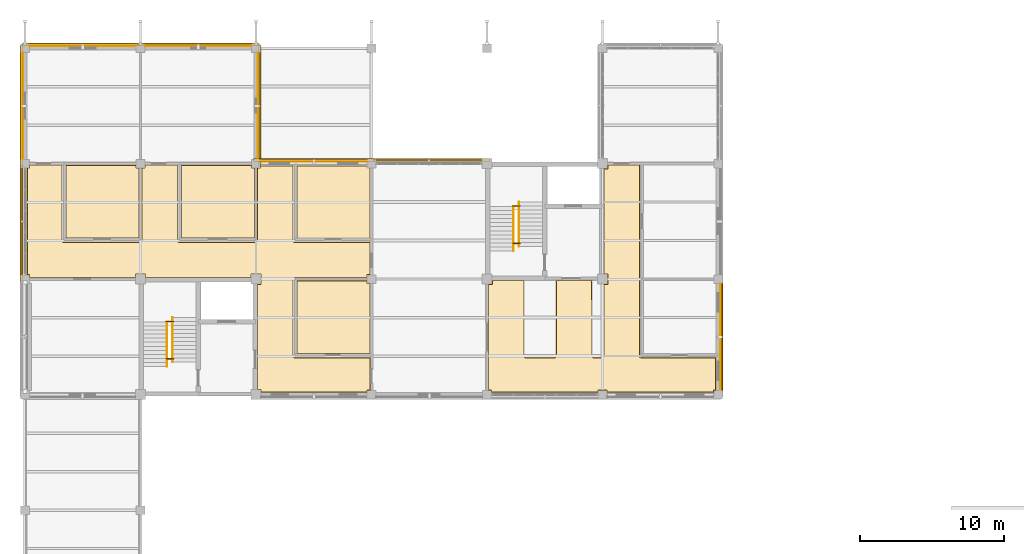
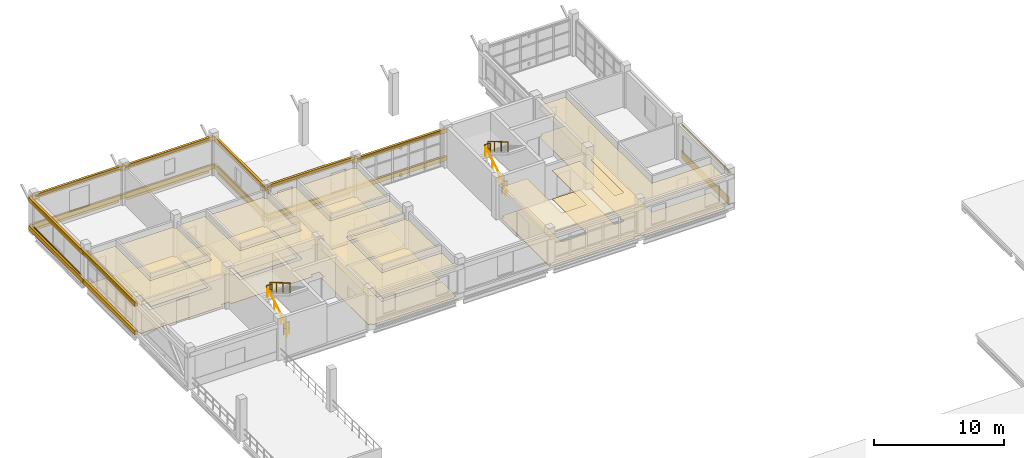
# One storey, part 33 of 35: 32 coverings, 8 railings, 8 shading devices.
"""IFC4 building model written with IfcOpenShell, lengths in metres."""

from ifc_helpers import new_model, si_unit, derived_unit, direction, frame, origin, origin_2d, place, context, subcontext, project, spatial, polyline, rectangle, circle, outline, extrude, material, layer, layer_set, material_profile, profile_set, type_object, element, save


model = new_model("IFC4")

# Units and contexts
model_context = context("Model", 3, precision=1e-05, world=origin(), true_north=direction((0.0, 1.0)))
body_context = subcontext(model_context, "Body", "Model", "MODEL_VIEW")
ifc_project = project(units=[si_unit("LENGTHUNIT", "METRE"), si_unit("AREAUNIT", "SQUARE_METRE"), si_unit("VOLUMEUNIT", "CUBIC_METRE"), si_unit("PLANEANGLEUNIT", "RADIAN"), si_unit("MASSUNIT", "GRAM", prefix="KILO"), derived_unit("THERMALTRANSMITTANCEUNIT", [(si_unit("MASSUNIT", "GRAM", prefix="KILO"), 1), (si_unit("TIMEUNIT", "SECOND"), -3), (si_unit("THERMODYNAMICTEMPERATUREUNIT", "KELVIN"), -1)])], contexts=[model_context])

# Site, building, storey
site_placement = place(None, origin())
site = spatial("IfcSite", under=ifc_project, at=site_placement, CompositionType="ELEMENT")
building_placement = place(site_placement, origin())
building = spatial("IfcBuilding", under=site, at=building_placement, Name="Veyamyaing Civic Hall", CompositionType="ELEMENT")
storey_placement = place(building_placement, frame((0.0, 0.0, 21.780029296875)))
storey = spatial("IfcBuildingStorey", under=building, at=storey_placement, Name="L05", CompositionType="ELEMENT", Elevation=21.780029296875)

# Coverings
ifc_material_1 = material(Name="Buff sandstone ashlar cladding", Category="masonry")
ifc_layer_1 = layer(ifc_material_1, 0.050048828125, Name="Buff sandstone ashlar cladding")
ifc_layer_set_1 = layer_set([ifc_layer_1], Name="Buff sandstone ashlar cladding")
covering_type_1 = type_object("IfcCoveringType", Name="CL-01", PredefinedType="CLADDING", material=ifc_layer_set_1)
for number, where, z_axis, x_axis, name in (
    (1, (4.0, 112.160888671875, 0.044921875), (0.0, 0.0, 1.0), (1.0, 0.0, 0.0), "Facade spandrel cladding CL-01 L05 N 1.14"),
    (2, (-0.160888671875, 108.0, 0.044921875), (0.0, 0.0, 1.0), (0.0, 1.0, 0.0), "Facade spandrel cladding CL-01 L05 W 1.14"),
):
    element("IfcCovering", number, at=place(storey_placement, frame(where, z_axis=z_axis, x_axis=x_axis)), inside=storey, type_object=covering_type_1, Name=name, PredefinedType="CLADDING", context=body_context, shape_type="SweptSolid", body=[
        extrude(rectangle(XDim=7.35009765625, YDim=0.050048828125, at=origin_2d()), origin(), (0.0, 0.0, 1.0), 0.75),
    ])
ifc_material_2 = material(Name="Turquoise glazed ceramic tile cladding", Category="masonry")
ifc_layer_2 = layer(ifc_material_2, 0.034912109375, Name="Turquoise glazed ceramic tile cladding")
ifc_layer_set_2 = layer_set([ifc_layer_2], Name="Turquoise glazed ceramic tile cladding")
covering_type_2 = type_object("IfcCoveringType", Name="CL-02", PredefinedType="CLADDING", material=ifc_layer_set_2)
for number, where, z_axis, x_axis, name in (
    (3, (12.0, 112.153564453125, 0.044921875), (0.0, 0.0, 1.0), (1.0, 0.0, 0.0), "Facade spandrel cladding CL-02 L05 N 2.14"),
    (4, (16.153564453125, 108.0, 0.044921875), (0.0, 0.0, 1.0), (0.0, 1.0, 0.0), "Facade spandrel cladding CL-02 L05 E 2.14"),
    (5, (20.0, 104.153564453125, 0.044921875), (0.0, 0.0, 1.0), (1.0, 0.0, 0.0), "Facade spandrel cladding CL-02 L05 N 3.13"),
    (6, (48.153564453125, 92.0, 0.044921875), (0.0, 0.0, 1.0), (0.0, 1.0, 0.0), "Facade spandrel cladding CL-02 L05 E 6.12"),
):
    element("IfcCovering", number, at=place(storey_placement, frame(where, z_axis=z_axis, x_axis=x_axis)), inside=storey, type_object=covering_type_2, Name=name, PredefinedType="CLADDING", context=body_context, shape_type="SweptSolid", body=[
        extrude(rectangle(XDim=7.35009765625, YDim=0.034912109375, at=origin_2d()), origin(), (0.0, 0.0, 1.0), 0.75),
    ])
ifc_material_3 = material(Name="White powder-coated aluminium 6063-T6", Category="aluminium")
ifc_layer_3 = layer(ifc_material_3, 0.2099609375, Name="White powder-coated aluminium 6063-T6")
ifc_layer_set_3 = layer_set([ifc_layer_3], Name="White powder-coated aluminium 6063-T6")
covering_type_3 = type_object("IfcCoveringType", Name="CL-03", PredefinedType="CLADDING", material=ifc_layer_set_3)
for number, where, z_axis, x_axis, name in (
    (7, (-0.239990234375, 100.0, 2.989013671875), (0.0, 0.0, 1.0), (0.0, 1.0, 0.0), "Continuous white head fascia ribbon CL-03 L05 W 1.13"),
    (8, (-0.239990234375, 100.0, 0.280029296875), (0.0, 0.0, 1.0), (0.0, 1.0, 0.0), "Continuous white sill fascia ribbon CL-03 L05 W 1.13"),
    (9, (4.0, 112.239990234375, 2.991943359375), (0.0, 0.0, 1.0), (1.0, 0.0, 0.0), "Continuous white head fascia ribbon CL-03 L05 N 1.14"),
    (10, (4.0, 112.239990234375, 0.280029296875), (0.0, 0.0, 1.0), (1.0, 0.0, 0.0), "Continuous white sill fascia ribbon CL-03 L05 N 1.14"),
    (11, (-0.239990234375, 108.0, 2.928955078125), (0.0, 0.0, 1.0), (0.0, 1.0, 0.0), "Continuous white head fascia ribbon CL-03 L05 W 1.14"),
    (12, (-0.239990234375, 108.0, 0.280029296875), (0.0, 0.0, 1.0), (0.0, 1.0, 0.0), "Continuous white sill fascia ribbon CL-03 L05 W 1.14"),
    (13, (12.0, 112.239990234375, 2.925048828125), (0.0, 0.0, 1.0), (1.0, 0.0, 0.0), "Continuous white head fascia ribbon CL-03 L05 N 2.14"),
    (14, (12.0, 112.239990234375, 0.280029296875), (0.0, 0.0, 1.0), (1.0, 0.0, 0.0), "Continuous white sill fascia ribbon CL-03 L05 N 2.14"),
    (15, (16.239990234375, 108.0, 2.87890625), (0.0, 0.0, 1.0), (0.0, 1.0, 0.0), "Continuous white head fascia ribbon CL-03 L05 E 2.14"),
    (16, (16.239990234375, 108.0, 0.280029296875), (0.0, 0.0, 1.0), (0.0, 1.0, 0.0), "Continuous white sill fascia ribbon CL-03 L05 E 2.14"),
    (17, (20.0, 104.239990234375, 3.089111328125), (0.0, 0.0, 1.0), (1.0, 0.0, 0.0), "Continuous white head fascia ribbon CL-03 L05 N 3.13"),
    (18, (20.0, 104.239990234375, 0.280029296875), (0.0, 0.0, 1.0), (1.0, 0.0, 0.0), "Continuous white sill fascia ribbon CL-03 L05 N 3.13"),
    (19, (28.0, 104.239990234375, 2.884033203125), (0.0, 0.0, 1.0), (1.0, 0.0, 0.0), "Continuous white head fascia ribbon CL-03 L05 N 4.13"),
    (20, (28.0, 104.239990234375, 0.280029296875), (0.0, 0.0, 1.0), (1.0, 0.0, 0.0), "Continuous white sill fascia ribbon CL-03 L05 N 4.13"),
):
    element("IfcCovering", number, at=place(storey_placement, frame(where, z_axis=z_axis, x_axis=x_axis)), inside=storey, type_object=covering_type_3, Name=name, PredefinedType="CLADDING", context=body_context, shape_type="SweptSolid", body=[
        extrude(rectangle(XDim=8.360107421875, YDim=0.2099609375, at=origin_2d()), origin(), (0.0, 0.0, 1.0), 0.39990234375),
    ])
ifc_material_4 = material(Name="Perforated acoustic gypsum ceiling board")
ifc_layer_4 = layer(ifc_material_4, 0.02490234375, Name="Perforated acoustic gypsum ceiling board")
ifc_layer_set_4 = layer_set([ifc_layer_4], Name="Perforated acoustic gypsum ceiling board")
covering_type_4 = type_object("IfcCoveringType", Name="CLG-01", PredefinedType="CEILING", material=ifc_layer_set_4)
covering_1_placement = place(storey_placement, frame((0.0, 0.0, 2.699951171875)))
element("IfcCovering", 21, at=covering_1_placement, inside=storey, type_object=covering_type_4, Name="Acoustic suspended ceiling CLG-01 L05-C01", PredefinedType="CEILING", context=body_context, shape_type="SweptSolid", body=[
    extrude(outline(polyline([(8.3349609375, 96.074951171875), (8.3349609375, 96.3349609375), (7.6650390625, 96.3349609375), (7.6650390625, 96.074951171875), (0.284912109375, 96.074951171875), (0.284912109375, 96.284912109375), (0.155029296875, 96.284912109375), (0.155029296875, 103.715087890625), (0.284912109375, 103.715087890625), (0.284912109375, 103.925048828125), (2.574951171875, 103.925048828125), (2.574951171875, 98.652587890625), (2.581298828125, 98.62158203125), (2.597412109375, 98.597412109375), (2.62158203125, 98.581298828125), (2.652587890625, 98.574951171875), (7.99755859375, 98.574951171875), (8.028564453125, 98.581298828125), (8.052734375, 98.597412109375), (8.06884765625, 98.62158203125), (8.074951171875, 98.652587890625), (8.074951171875, 103.715087890625), (8.284912109375, 103.715087890625), (8.284912109375, 103.925048828125), (10.574951171875, 103.925048828125), (10.574951171875, 98.65185546875), (10.57861328125, 98.627685546875), (10.583740234375, 98.615234375), (10.597412109375, 98.5966796875), (10.60791015625, 98.588134765625), (10.62841796875, 98.57861328125), (10.65185546875, 98.574951171875), (15.998291015625, 98.574951171875), (16.021728515625, 98.57861328125), (16.04150390625, 98.587890625), (16.057373046875, 98.602294921875), (16.071533203125, 98.62890625), (16.074951171875, 98.65185546875), (16.074951171875, 103.715087890625), (16.284912109375, 103.715087890625), (16.284912109375, 103.844970703125), (18.574951171875, 103.844970703125), (18.574951171875, 98.652587890625), (18.581298828125, 98.62158203125), (18.597412109375, 98.597412109375), (18.62158203125, 98.581298828125), (18.652587890625, 98.574951171875), (23.925048828125, 98.574951171875), (23.925048828125, 96.284912109375), (23.715087890625, 96.284912109375), (23.715087890625, 96.074951171875), (18.65185546875, 96.074951171875), (18.627685546875, 96.0712890625), (18.615234375, 96.06640625), (18.5966796875, 96.052490234375), (18.588134765625, 96.0419921875), (18.57861328125, 96.021728515625), (18.574951171875, 95.998291015625), (18.574951171875, 90.65185546875), (18.578369140625, 90.62890625), (18.5927734375, 90.602294921875), (18.6083984375, 90.587890625), (18.62841796875, 90.57861328125), (18.65185546875, 90.574951171875), (23.925048828125, 90.574951171875), (23.925048828125, 88.284912109375), (23.715087890625, 88.284912109375), (23.715087890625, 88.155029296875), (16.3349609375, 88.155029296875), (16.3349609375, 88.3349609375), (16.074951171875, 88.3349609375), (16.074951171875, 95.6650390625), (16.3349609375, 95.6650390625), (16.3349609375, 96.3349609375), (15.6650390625, 96.3349609375), (15.6650390625, 96.074951171875), (8.3349609375, 96.074951171875)])), origin(), (0.0, 0.0, 1.0), 0.02490234375),
])
covering_2_placement = place(storey_placement, frame((0.0, 0.0, 2.699951171875)))
element("IfcCovering", 22, at=covering_2_placement, inside=storey, type_object=covering_type_4, Name="Acoustic suspended ceiling CLG-01 L05-C02", PredefinedType="CEILING", context=body_context, shape_type="SweptSolid", body=[
    extrude(outline(polyline([(34.574951171875, 95.925048828125), (34.574951171875, 90.652587890625), (34.581298828125, 90.62158203125), (34.597412109375, 90.597412109375), (34.62158203125, 90.581298828125), (34.652587890625, 90.574951171875), (36.6982421875, 90.574951171875), (36.7216796875, 90.57861328125), (36.741455078125, 90.587890625), (36.7578125, 90.6025390625), (36.768798828125, 90.620849609375), (36.77490234375, 90.652587890625), (36.77490234375, 95.925048828125), (39.27490234375, 95.925048828125), (39.27685546875, 90.635009765625), (39.2841796875, 90.61474609375), (39.296875, 90.59765625), (39.322021484375, 90.580810546875), (39.34326171875, 90.575439453125), (39.99755859375, 90.574951171875), (40.028564453125, 90.581298828125), (40.052734375, 90.597412109375), (40.06884765625, 90.62158203125), (40.074951171875, 90.652587890625), (40.074951171875, 95.6650390625), (40.3349609375, 95.6650390625), (40.3349609375, 96.3349609375), (40.074951171875, 96.3349609375), (40.074951171875, 103.6650390625), (40.3349609375, 103.6650390625), (40.3349609375, 103.925048828125), (42.574951171875, 103.925048828125), (42.574951171875, 90.65185546875), (42.578369140625, 90.62890625), (42.5927734375, 90.602294921875), (42.6083984375, 90.587890625), (42.62841796875, 90.57861328125), (42.65185546875, 90.574951171875), (47.844970703125, 90.574951171875), (47.844970703125, 88.284912109375), (47.715087890625, 88.284912109375), (47.715087890625, 88.155029296875), (40.284912109375, 88.155029296875), (40.284912109375, 88.284912109375), (39.715087890625, 88.284912109375), (39.715087890625, 88.155029296875), (32.284912109375, 88.155029296875), (32.284912109375, 88.284912109375), (32.074951171875, 88.284912109375), (32.074951171875, 95.6650390625), (32.3349609375, 95.6650390625), (32.3349609375, 95.925048828125), (34.574951171875, 95.925048828125)])), origin(), (0.0, 0.0, 1.0), 0.02490234375),
])
covering_3_placement = place(storey_placement, frame((0.0, 0.0, 2.699951171875)))
element("IfcCovering", 23, at=covering_3_placement, inside=storey, type_object=covering_type_4, Name="Acoustic suspended ceiling CLG-01 L05-R001", PredefinedType="CEILING", context=body_context, shape_type="SweptSolid", body=[
    extrude(outline(polyline([(2.824951171875, 103.905029296875), (7.715087890625, 103.905029296875), (7.715087890625, 103.715087890625), (7.905029296875, 103.715087890625), (7.905029296875, 98.824951171875), (2.824951171875, 98.824951171875), (2.824951171875, 103.905029296875)])), origin(), (0.0, 0.0, 1.0), 0.02490234375),
])
covering_4_placement = place(storey_placement, frame((0.0, 0.0, 2.699951171875)))
element("IfcCovering", 24, at=covering_4_placement, inside=storey, type_object=covering_type_4, Name="Acoustic suspended ceiling CLG-01 L05-R002", PredefinedType="CEILING", context=body_context, shape_type="SweptSolid", body=[
    extrude(outline(polyline([(10.824951171875, 98.824951171875), (10.824951171875, 103.905029296875), (15.715087890625, 103.905029296875), (15.715087890625, 103.715087890625), (15.905029296875, 103.715087890625), (15.905029296875, 98.824951171875), (10.824951171875, 98.824951171875)])), origin(), (0.0, 0.0, 1.0), 0.02490234375),
])
covering_5_placement = place(storey_placement, frame((0.0, 0.0, 2.699951171875)))
element("IfcCovering", 25, at=covering_5_placement, inside=storey, type_object=covering_type_4, Name="Acoustic suspended ceiling CLG-01 L05-R003", PredefinedType="CEILING", context=body_context, shape_type="SweptSolid", body=[
    extrude(outline(polyline([(18.824951171875, 95.905029296875), (23.715087890625, 95.905029296875), (23.715087890625, 95.715087890625), (23.905029296875, 95.715087890625), (23.905029296875, 90.824951171875), (18.824951171875, 90.824951171875), (18.824951171875, 95.905029296875)])), origin(), (0.0, 0.0, 1.0), 0.02490234375),
])
covering_6_placement = place(storey_placement, frame((0.0, 0.0, 2.699951171875)))
element("IfcCovering", 26, at=covering_6_placement, inside=storey, type_object=covering_type_4, Name="Acoustic suspended ceiling CLG-01 L05-R004", PredefinedType="CEILING", context=body_context, shape_type="SweptSolid", body=[
    extrude(outline(polyline([(18.824951171875, 98.824951171875), (18.824951171875, 103.844970703125), (23.715087890625, 103.844970703125), (23.715087890625, 103.715087890625), (23.905029296875, 103.715087890625), (23.905029296875, 98.824951171875), (18.824951171875, 98.824951171875)])), origin(), (0.0, 0.0, 1.0), 0.02490234375),
])
ifc_material_5 = material(Name="Polished Mandalay marble and terrazzo flooring", Category="masonry")
ifc_layer_5 = layer(ifc_material_5, 0.030029296875, Name="Polished Mandalay marble and terrazzo flooring")
ifc_layer_set_5 = layer_set([ifc_layer_5], Name="Polished Mandalay marble and terrazzo flooring")
covering_type_5 = type_object("IfcCoveringType", Name="FLR-01", PredefinedType="FLOORING", material=ifc_layer_set_5)
covering_7_placement = place(storey_placement, origin())
element("IfcCovering", 27, at=covering_7_placement, inside=storey, type_object=covering_type_5, Name="Stone and terrazzo flooring FLR-01 L05-C01", PredefinedType="FLOORING", context=body_context, shape_type="SweptSolid", body=[
    extrude(outline(polyline([(8.360107421875, 96.10009765625), (8.360107421875, 96.360107421875), (7.639892578125, 96.360107421875), (7.639892578125, 96.10009765625), (0.31005859375, 96.10009765625), (0.31005859375, 96.31005859375), (0.179931640625, 96.31005859375), (0.179931640625, 103.68994140625), (0.31005859375, 103.68994140625), (0.31005859375, 103.89990234375), (2.550048828125, 103.89990234375), (2.550048828125, 98.64990234375), (2.5576171875, 98.61181640625), (2.579345703125, 98.579345703125), (2.61181640625, 98.5576171875), (2.64990234375, 98.550048828125), (8.0, 98.550048828125), (8.038330078125, 98.5576171875), (8.07080078125, 98.579345703125), (8.09228515625, 98.61181640625), (8.10009765625, 98.64990234375), (8.10009765625, 103.68994140625), (8.31005859375, 103.68994140625), (8.31005859375, 103.89990234375), (10.550048828125, 103.89990234375), (10.550048828125, 98.64990234375), (10.55419921875, 98.62109375), (10.561767578125, 98.602783203125), (10.579345703125, 98.579345703125), (10.594482421875, 98.56689453125), (10.62109375, 98.55419921875), (10.64990234375, 98.550048828125), (16.0, 98.550048828125), (16.029052734375, 98.55419921875), (16.0556640625, 98.56689453125), (16.077392578125, 98.586669921875), (16.095703125, 98.62109375), (16.10009765625, 98.64990234375), (16.10009765625, 103.68994140625), (16.31005859375, 103.68994140625), (16.31005859375, 103.820068359375), (18.550048828125, 103.820068359375), (18.550048828125, 98.64990234375), (18.5576171875, 98.61181640625), (18.579345703125, 98.579345703125), (18.61181640625, 98.5576171875), (18.64990234375, 98.550048828125), (23.89990234375, 98.550048828125), (23.89990234375, 96.31005859375), (23.68994140625, 96.31005859375), (23.68994140625, 96.10009765625), (18.64990234375, 96.10009765625), (18.62109375, 96.095703125), (18.602783203125, 96.088134765625), (18.579345703125, 96.07080078125), (18.56689453125, 96.0556640625), (18.55419921875, 96.029052734375), (18.550048828125, 96.0), (18.550048828125, 90.64990234375), (18.55419921875, 90.62109375), (18.57275390625, 90.586669921875), (18.594482421875, 90.56689453125), (18.62109375, 90.55419921875), (18.64990234375, 90.550048828125), (23.89990234375, 90.550048828125), (23.89990234375, 88.31005859375), (23.68994140625, 88.31005859375), (23.68994140625, 88.179931640625), (16.360107421875, 88.179931640625), (16.360107421875, 88.360107421875), (16.10009765625, 88.360107421875), (16.10009765625, 95.639892578125), (16.360107421875, 95.639892578125), (16.360107421875, 96.360107421875), (15.639892578125, 96.360107421875), (15.639892578125, 96.10009765625), (8.360107421875, 96.10009765625)])), origin(), (0.0, 0.0, 1.0), 0.030029296875),
])
covering_8_placement = place(storey_placement, origin())
element("IfcCovering", 28, at=covering_8_placement, inside=storey, type_object=covering_type_5, Name="Stone and terrazzo flooring FLR-01 L05-C02", PredefinedType="FLOORING", context=body_context, shape_type="SweptSolid", body=[
    extrude(outline(polyline([(34.550048828125, 95.89990234375), (34.550048828125, 90.64990234375), (34.5576171875, 90.61181640625), (34.579345703125, 90.579345703125), (34.61181640625, 90.5576171875), (34.64990234375, 90.550048828125), (36.699951171875, 90.550048828125), (36.72900390625, 90.55419921875), (36.755615234375, 90.56689453125), (36.77734375, 90.586669921875), (36.79248046875, 90.61181640625), (36.800048828125, 90.64990234375), (36.800048828125, 95.89990234375), (39.25, 95.89990234375), (39.251953125, 90.630615234375), (39.26171875, 90.602783203125), (39.279296875, 90.579345703125), (39.311767578125, 90.5576171875), (39.340087890625, 90.550537109375), (40.0, 90.550048828125), (40.038330078125, 90.5576171875), (40.07080078125, 90.579345703125), (40.09228515625, 90.61181640625), (40.10009765625, 90.64990234375), (40.10009765625, 95.639892578125), (40.360107421875, 95.639892578125), (40.360107421875, 96.360107421875), (40.10009765625, 96.360107421875), (40.10009765625, 103.639892578125), (40.360107421875, 103.639892578125), (40.360107421875, 103.89990234375), (42.550048828125, 103.89990234375), (42.550048828125, 90.64990234375), (42.55419921875, 90.62109375), (42.57275390625, 90.586669921875), (42.594482421875, 90.56689453125), (42.62109375, 90.55419921875), (42.64990234375, 90.550048828125), (47.820068359375, 90.550048828125), (47.820068359375, 88.31005859375), (47.68994140625, 88.31005859375), (47.68994140625, 88.179931640625), (40.31005859375, 88.179931640625), (40.31005859375, 88.31005859375), (39.68994140625, 88.31005859375), (39.68994140625, 88.179931640625), (32.31005859375, 88.179931640625), (32.31005859375, 88.31005859375), (32.10009765625, 88.31005859375), (32.10009765625, 95.639892578125), (32.360107421875, 95.639892578125), (32.360107421875, 95.89990234375), (34.550048828125, 95.89990234375)])), origin(), (0.0, 0.0, 1.0), 0.030029296875),
])
covering_9_placement = place(storey_placement, origin())
element("IfcCovering", 29, at=covering_9_placement, inside=storey, type_object=covering_type_5, Name="Stone and terrazzo flooring FLR-01 L05-R001", PredefinedType="FLOORING", context=body_context, shape_type="SweptSolid", body=[
    extrude(outline(polyline([(2.85009765625, 103.8798828125), (7.68994140625, 103.8798828125), (7.68994140625, 103.68994140625), (7.8798828125, 103.68994140625), (7.8798828125, 98.85009765625), (2.85009765625, 98.85009765625), (2.85009765625, 103.8798828125)])), origin(), (0.0, 0.0, 1.0), 0.030029296875),
])
covering_10_placement = place(storey_placement, origin())
element("IfcCovering", 30, at=covering_10_placement, inside=storey, type_object=covering_type_5, Name="Stone and terrazzo flooring FLR-01 L05-R002", PredefinedType="FLOORING", context=body_context, shape_type="SweptSolid", body=[
    extrude(outline(polyline([(10.85009765625, 98.85009765625), (10.85009765625, 103.8798828125), (15.68994140625, 103.8798828125), (15.68994140625, 103.68994140625), (15.8798828125, 103.68994140625), (15.8798828125, 98.85009765625), (10.85009765625, 98.85009765625)])), origin(), (0.0, 0.0, 1.0), 0.030029296875),
])
covering_11_placement = place(storey_placement, origin())
element("IfcCovering", 31, at=covering_11_placement, inside=storey, type_object=covering_type_5, Name="Stone and terrazzo flooring FLR-01 L05-R003", PredefinedType="FLOORING", context=body_context, shape_type="SweptSolid", body=[
    extrude(outline(polyline([(18.85009765625, 95.8798828125), (23.68994140625, 95.8798828125), (23.68994140625, 95.68994140625), (23.8798828125, 95.68994140625), (23.8798828125, 90.85009765625), (18.85009765625, 90.85009765625), (18.85009765625, 95.8798828125)])), origin(), (0.0, 0.0, 1.0), 0.030029296875),
])
covering_12_placement = place(storey_placement, origin())
element("IfcCovering", 32, at=covering_12_placement, inside=storey, type_object=covering_type_5, Name="Stone and terrazzo flooring FLR-01 L05-R004", PredefinedType="FLOORING", context=body_context, shape_type="SweptSolid", body=[
    extrude(outline(polyline([(18.85009765625, 98.85009765625), (18.85009765625, 103.820068359375), (23.68994140625, 103.820068359375), (23.68994140625, 103.68994140625), (23.8798828125, 103.68994140625), (23.8798828125, 98.85009765625), (18.85009765625, 98.85009765625)])), origin(), (0.0, 0.0, 1.0), 0.030029296875),
])

# Railings
ifc_material_6 = material(Name="Steel S355J2", Category="steel")
railing_type_1 = type_object("IfcRailingType", Name="RL-01", PredefinedType="BALUSTRADE", material=ifc_material_6)
railing_1_placement = place(storey_placement, frame((9.780029296875, 93.070068359375, 1.97998046875)))
element("IfcRailing", 33, at=railing_1_placement, inside=storey, type_object=railing_type_1, Name="Half-landing slot guard RL-01 ST-01 L05", PredefinedType="BALUSTRADE", context=body_context, shape_type="SweptSolid", body=[
    extrude(circle(Radius=0.02392578125, at=origin_2d()), frame((0.0, 0.0, 1.076171875), z_axis=(1.0, 0.0, 0.0), x_axis=(0.0, 1.0, 0.0)), (0.0, 0.0, 1.0), 0.489990234375),
    extrude(circle(Radius=0.01416015625, at=origin_2d()), frame((0.0, 0.0, 0.572021484375), z_axis=(1.0, 0.0, 0.0), x_axis=(0.0, 1.0, 0.0)), (0.0, 0.0, 1.0), 0.489990234375),
    extrude(circle(Radius=0.02099609375, at=origin_2d()), origin(), (0.0, 0.0, 1.0), 1.052001953125),
    extrude(circle(Radius=0.02099609375, at=origin_2d()), frame((0.489990234375, 0.0, 0.0)), (0.0, 0.0, 1.0), 1.052001953125),
])
railing_2_placement = place(storey_placement, frame((9.800048828125, 90.47998046875, 0.0)))
element("IfcRailing", 34, at=railing_2_placement, inside=storey, type_object=railing_type_1, Name="Floor-landing slot guard RL-01 ST-01 L05", PredefinedType="BALUSTRADE", context=body_context, shape_type="SweptSolid", body=[
    extrude(circle(Radius=0.02392578125, at=origin_2d()), frame((0.0, 0.0, 1.076171875), z_axis=(1.0, 0.0, 0.0), x_axis=(0.0, 1.0, 0.0)), (0.0, 0.0, 1.0), 0.469970703125),
    extrude(circle(Radius=0.01416015625, at=origin_2d()), frame((0.0, 0.0, 0.572021484375), z_axis=(1.0, 0.0, 0.0), x_axis=(0.0, 1.0, 0.0)), (0.0, 0.0, 1.0), 0.469970703125),
    extrude(circle(Radius=0.02099609375, at=origin_2d()), origin(), (0.0, 0.0, 1.0), 1.052001953125),
    extrude(circle(Radius=0.02099609375, at=origin_2d()), frame((0.469970703125, 0.0, 0.0)), (0.0, 0.0, 1.0), 1.052001953125),
])
railing_3_placement = place(storey_placement, frame((33.780029296875, 101.070068359375, 1.97998046875)))
element("IfcRailing", 35, at=railing_3_placement, inside=storey, type_object=railing_type_1, Name="Half-landing slot guard RL-01 ST-02 L05", PredefinedType="BALUSTRADE", context=body_context, shape_type="SweptSolid", body=[
    extrude(circle(Radius=0.02392578125, at=origin_2d()), frame((0.0, 0.0, 1.076171875), z_axis=(1.0, 0.0, 0.0), x_axis=(0.0, 1.0, 0.0)), (0.0, 0.0, 1.0), 0.489990234375),
    extrude(circle(Radius=0.01416015625, at=origin_2d()), frame((0.0, 0.0, 0.572021484375), z_axis=(1.0, 0.0, 0.0), x_axis=(0.0, 1.0, 0.0)), (0.0, 0.0, 1.0), 0.489990234375),
    extrude(circle(Radius=0.02099609375, at=origin_2d()), origin(), (0.0, 0.0, 1.0), 1.052001953125),
    extrude(circle(Radius=0.02099609375, at=origin_2d()), frame((0.489990234375, 0.0, 0.0)), (0.0, 0.0, 1.0), 1.052001953125),
])
railing_4_placement = place(storey_placement, frame((33.800048828125, 98.47998046875, 0.0)))
element("IfcRailing", 36, at=railing_4_placement, inside=storey, type_object=railing_type_1, Name="Floor-landing slot guard RL-01 ST-02 L05", PredefinedType="BALUSTRADE", context=body_context, shape_type="SweptSolid", body=[
    extrude(circle(Radius=0.02392578125, at=origin_2d()), frame((0.0, 0.0, 1.076171875), z_axis=(1.0, 0.0, 0.0), x_axis=(0.0, 1.0, 0.0)), (0.0, 0.0, 1.0), 0.469970703125),
    extrude(circle(Radius=0.01416015625, at=origin_2d()), frame((0.0, 0.0, 0.572021484375), z_axis=(1.0, 0.0, 0.0), x_axis=(0.0, 1.0, 0.0)), (0.0, 0.0, 1.0), 0.469970703125),
    extrude(circle(Radius=0.02099609375, at=origin_2d()), origin(), (0.0, 0.0, 1.0), 1.052001953125),
    extrude(circle(Radius=0.02099609375, at=origin_2d()), frame((0.469970703125, 0.0, 0.0)), (0.0, 0.0, 1.0), 1.052001953125),
])
railing_type_2 = type_object("IfcRailingType", Name="RL-02", PredefinedType="HANDRAIL", material=ifc_material_6)
railing_5_placement = place(storey_placement, frame((9.840087890625, 89.949951171875, 0.1650390625)))
element("IfcRailing", 37, at=railing_5_placement, inside=storey, type_object=railing_type_2, Name="Stair pitch handrail RL-02 ST-01 L05.1", PredefinedType="HANDRAIL", context=body_context, shape_type="SweptSolid", body=[
    extrude(circle(Radius=0.02392578125, at=origin_2d()), frame((0.0, 0.0, 0.89599609375), z_axis=(0.0, 0.861551262678, 0.507670583921), x_axis=(-1.0, 0.0, 0.0)), (0.0, 0.0, 1.0), 3.574951171875),
    extrude(circle(Radius=0.02099609375, at=origin_2d()), origin(), (0.0, 0.0, 1.0), 0.871826171875),
    extrude(circle(Radius=0.02099609375, at=origin_2d()), frame((0.0, 1.026611328125, 0.60498046875)), (0.0, 0.0, 1.0), 0.871826171875),
    extrude(circle(Radius=0.02099609375, at=origin_2d()), frame((0.0, 2.053466796875, 1.2099609375)), (0.0, 0.0, 1.0), 0.871826171875),
    extrude(circle(Radius=0.02099609375, at=origin_2d()), frame((0.0, 3.080078125, 1.81494140625)), (0.0, 0.0, 1.0), 0.871826171875),
])
railing_6_placement = place(storey_placement, frame((10.219970703125, 93.35009765625, 2.14501953125)))
element("IfcRailing", 38, at=railing_6_placement, inside=storey, type_object=railing_type_2, Name="Stair pitch handrail RL-02 ST-01 L05.2", PredefinedType="HANDRAIL", context=body_context, shape_type="SweptSolid", body=[
    extrude(circle(Radius=0.02392578125, at=origin_2d()), frame((0.0, 0.0, 0.89599609375), z_axis=(0.0, -0.861551262678, 0.507670583921), x_axis=(1.0, 0.0, 0.0)), (0.0, 0.0, 1.0), 3.574951171875),
    extrude(circle(Radius=0.02099609375, at=origin_2d()), origin(), (0.0, 0.0, 1.0), 0.871826171875),
    extrude(circle(Radius=0.02099609375, at=origin_2d()), frame((0.0, -1.026611328125, 0.60498046875)), (0.0, 0.0, 1.0), 0.871826171875),
    extrude(circle(Radius=0.02099609375, at=origin_2d()), frame((0.0, -2.053466796875, 1.2099609375)), (0.0, 0.0, 1.0), 0.871826171875),
    extrude(circle(Radius=0.02099609375, at=origin_2d()), frame((0.0, -3.080078125, 1.81494140625)), (0.0, 0.0, 1.0), 0.871826171875),
])
railing_7_placement = place(storey_placement, frame((33.840087890625, 97.949951171875, 0.1650390625)))
element("IfcRailing", 39, at=railing_7_placement, inside=storey, type_object=railing_type_2, Name="Stair pitch handrail RL-02 ST-02 L05.1", PredefinedType="HANDRAIL", context=body_context, shape_type="SweptSolid", body=[
    extrude(circle(Radius=0.02392578125, at=origin_2d()), frame((0.0, 0.0, 0.89599609375), z_axis=(0.0, 0.861551262678, 0.507670583921), x_axis=(-1.0, 0.0, 0.0)), (0.0, 0.0, 1.0), 3.574951171875),
    extrude(circle(Radius=0.02099609375, at=origin_2d()), origin(), (0.0, 0.0, 1.0), 0.871826171875),
    extrude(circle(Radius=0.02099609375, at=origin_2d()), frame((0.0, 1.026611328125, 0.60498046875)), (0.0, 0.0, 1.0), 0.871826171875),
    extrude(circle(Radius=0.02099609375, at=origin_2d()), frame((0.0, 2.053466796875, 1.2099609375)), (0.0, 0.0, 1.0), 0.871826171875),
    extrude(circle(Radius=0.02099609375, at=origin_2d()), frame((0.0, 3.080078125, 1.81494140625)), (0.0, 0.0, 1.0), 0.871826171875),
])
railing_8_placement = place(storey_placement, frame((34.219970703125, 101.35009765625, 2.14501953125)))
element("IfcRailing", 40, at=railing_8_placement, inside=storey, type_object=railing_type_2, Name="Stair pitch handrail RL-02 ST-02 L05.2", PredefinedType="HANDRAIL", context=body_context, shape_type="SweptSolid", body=[
    extrude(circle(Radius=0.02392578125, at=origin_2d()), frame((0.0, 0.0, 0.89599609375), z_axis=(0.0, -0.861551262678, 0.507670583921), x_axis=(1.0, 0.0, 0.0)), (0.0, 0.0, 1.0), 3.574951171875),
    extrude(circle(Radius=0.02099609375, at=origin_2d()), origin(), (0.0, 0.0, 1.0), 0.871826171875),
    extrude(circle(Radius=0.02099609375, at=origin_2d()), frame((0.0, -1.026611328125, 0.60498046875)), (0.0, 0.0, 1.0), 0.871826171875),
    extrude(circle(Radius=0.02099609375, at=origin_2d()), frame((0.0, -2.053466796875, 1.2099609375)), (0.0, 0.0, 1.0), 0.871826171875),
    extrude(circle(Radius=0.02099609375, at=origin_2d()), frame((0.0, -3.080078125, 1.81494140625)), (0.0, 0.0, 1.0), 0.871826171875),
])

# Shading devices
ifc_material_profile = material_profile(ifc_material_3, circle(Radius=0.090087890625, at=origin_2d()), Name="SHADE-TUBE-180")
ifc_profile_set = profile_set([ifc_material_profile], Name="White powder-coated aluminium 6063-T6")
shading_device_type = type_object("IfcShadingDeviceType", Name="SH-02", PredefinedType="USERDEFINED", material=ifc_profile_set)
for number, where, z_axis, x_axis, name in (
    (41, (-0.239990234375, 96.284912109375, 3.14892578125), (0.0, 1.0, 0.0), (-1.0, 0.0, 0.0), "Horizontal white sunshade ribbon SH-02 L05 W 1.13"),
    (42, (0.284912109375, 112.239990234375, 3.15185546875), (1.0, 0.0, 0.0), (0.0, 1.0, 0.0), "Horizontal white sunshade ribbon SH-02 L05 N 1.14"),
    (43, (-0.239990234375, 104.284912109375, 3.0888671875), (0.0, 1.0, 0.0), (-1.0, 0.0, 0.0), "Horizontal white sunshade ribbon SH-02 L05 W 1.14"),
    (44, (8.284912109375, 112.239990234375, 3.0849609375), (1.0, 0.0, 0.0), (0.0, 1.0, 0.0), "Horizontal white sunshade ribbon SH-02 L05 N 2.14"),
    (45, (16.239990234375, 104.284912109375, 3.0390625), (0.0, 1.0, 0.0), (-1.0, 0.0, 0.0), "Horizontal white sunshade ribbon SH-02 L05 E 2.14"),
    (46, (16.284912109375, 104.239990234375, 3.2490234375), (1.0, 0.0, 0.0), (0.0, 1.0, 0.0), "Horizontal white sunshade ribbon SH-02 L05 N 3.13"),
):
    element("IfcShadingDevice", number, at=place(storey_placement, frame(where, z_axis=z_axis, x_axis=x_axis)), inside=storey, type_object=shading_device_type, Name=name, ObjectType="SUNSHADE", PredefinedType="USERDEFINED", context=body_context, shape_type="SweptSolid", body=[
        extrude(circle(Radius=0.090087890625, at=origin_2d()), origin(), (0.0, 0.0, 1.0), 7.43017578125),
    ])
shading_device_1_placement = place(storey_placement, frame((24.284912109375, 104.239990234375, 3.0439453125), z_axis=(1.0, 0.0, 0.0), x_axis=(0.0, 1.0, 0.0)))
element("IfcShadingDevice", 47, at=shading_device_1_placement, inside=storey, type_object=shading_device_type, Name="Horizontal white sunshade ribbon SH-02 L05 N 4.13", ObjectType="SUNSHADE", PredefinedType="USERDEFINED", context=body_context, shape_type="SweptSolid", body=[
    extrude(circle(Radius=0.090087890625, at=origin_2d()), origin(), (0.0, 0.0, 1.0), 7.380126953125),
])
shading_device_2_placement = place(storey_placement, frame((48.239990234375, 88.284912109375, 3.0888671875), z_axis=(0.0, 1.0, 0.0), x_axis=(-1.0, 0.0, 0.0)))
element("IfcShadingDevice", 48, at=shading_device_2_placement, inside=storey, type_object=shading_device_type, Name="Horizontal white sunshade ribbon SH-02 L05 E 6.12", ObjectType="SUNSHADE", PredefinedType="USERDEFINED", context=body_context, shape_type="SweptSolid", body=[
    extrude(circle(Radius=0.090087890625, at=origin_2d()), origin(), (0.0, 0.0, 1.0), 7.43017578125),
])

save(model, "model.ifc")
